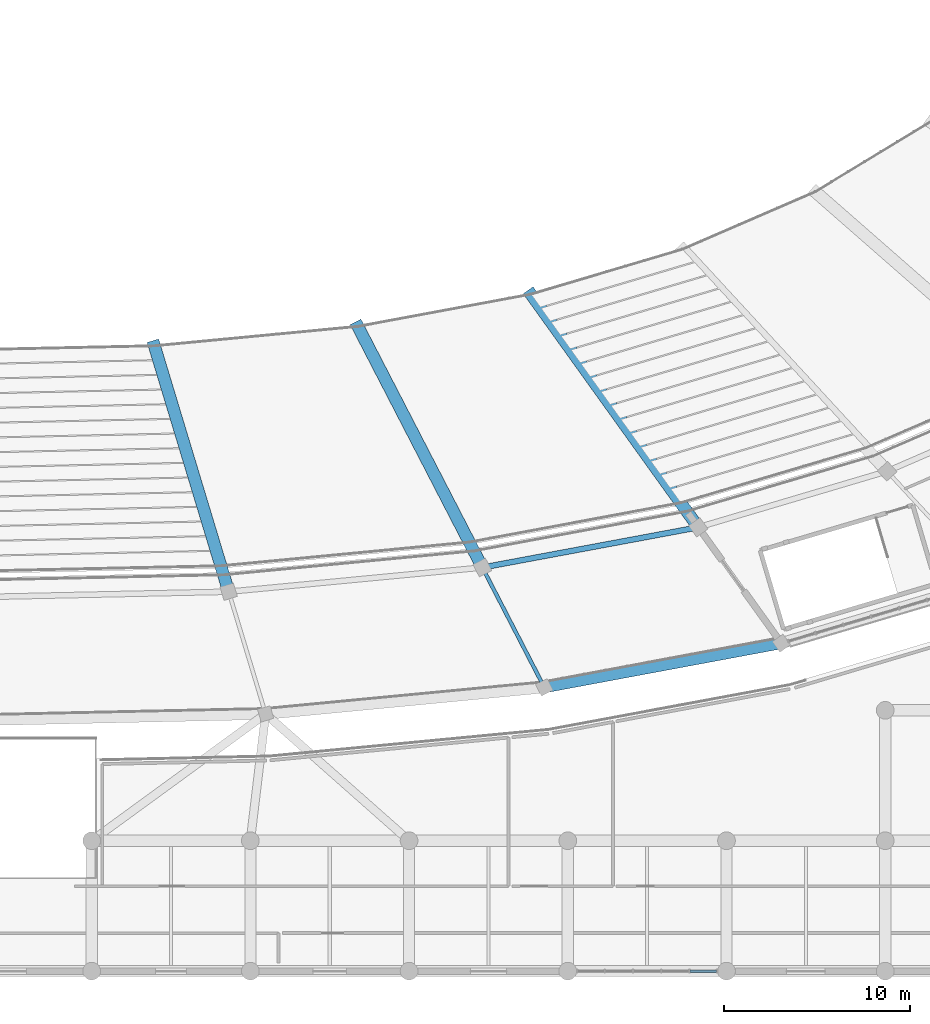
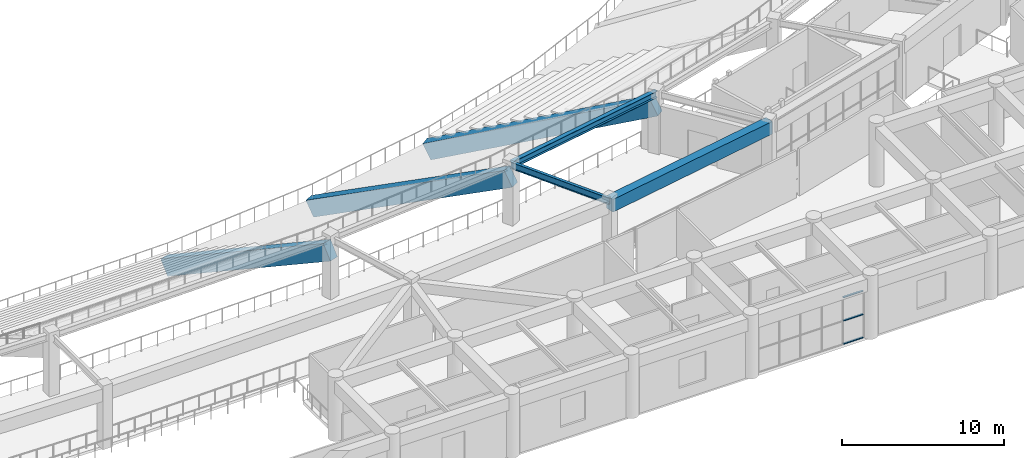
# One storey, part 33 of 137: 6 beams, 3 members, 1 element without a shape of its own.
"""IFC4 building model written with IfcOpenShell, lengths in metres."""

from ifc_helpers import new_model, si_unit, direction, frame, origin, origin_2d, place, context, subcontext, project, spatial, rectangle, i_section, extrude, material, layer, layer_set, material_profile, profile_set, type_object, element, aggregate, save


model = new_model("IFC4")

# Units and contexts
model_context = context("Model", 3, precision=1e-05, world=origin(), true_north=direction((0.0, 1.0)))
body_context = subcontext(model_context, "Body", "Model", "MODEL_VIEW")
ifc_project = project(units=[si_unit("LENGTHUNIT", "METRE"), si_unit("AREAUNIT", "SQUARE_METRE"), si_unit("VOLUMEUNIT", "CUBIC_METRE"), si_unit("PLANEANGLEUNIT", "RADIAN"), si_unit("MASSUNIT", "GRAM", prefix="KILO")], contexts=[model_context])

# Site, building, storey
site_placement = place(None, origin())
site = spatial("IfcSite", under=ifc_project, at=site_placement, CompositionType="ELEMENT")
building_placement = place(site_placement, origin())
building = spatial("IfcBuilding", under=site, at=building_placement, Name="Mphavela Belvedere Stadium", CompositionType="ELEMENT")
storey_placement = place(building_placement, frame((0.0, 0.0, 19.199951171875)))
storey = spatial("IfcBuildingStorey", under=building, at=storey_placement, Name="L04", CompositionType="ELEMENT", Elevation=19.199951171875)

# Beams
ifc_material_1 = material(Name="Concrete C40/50", Category="concrete")
ifc_material_profile_1 = material_profile(ifc_material_1, rectangle(XDim=0.60009765625, YDim=0.949951171875, at=origin_2d()), Name="RC 600x950")
ifc_profile_set_1 = profile_set([ifc_material_profile_1], Name="Concrete C40/50")
beam_type_1 = type_object("IfcBeamType", Name="BM-ENTABLATURE-950", PredefinedType="SPANDREL", material=ifc_profile_set_1)
beam_1_placement = place(storey_placement, frame((152.07275390625, 15.232666015625, 4.074951171875), z_axis=(0.983098571421, 0.183077029882, 0.0), x_axis=(-0.183077029882, 0.983098571421, 0.0)))
element("IfcBeam", 1, at=beam_1_placement, inside=storey, type_object=beam_type_1, Name="Circumferential girder L04 R4-39", PredefinedType="SPANDREL", context=body_context, shape_type="SweptSolid", body=[
    extrude(rectangle(XDim=0.60009765625, YDim=0.949951171875, at=origin_2d()), origin(), (0.0, 0.0, 1.0), 12.947265625),
])
ifc_material_2 = material(Name="Precast concrete C45/55", Category="concrete")
ifc_material_profile_2 = material_profile(ifc_material_2, rectangle(XDim=0.64990234375, YDim=1.199951171875, at=origin_2d()), Name="PC 650x1200")
ifc_profile_set_2 = profile_set([ifc_material_profile_2], Name="Precast concrete C45/55")
beam_type_2 = type_object("IfcBeamType", Name="BM-RAKER-UPPER", PredefinedType="USERDEFINED", material=ifc_profile_set_2)
beam_2_placement = place(storey_placement, frame((131.14794921875, 33.5546875, -4.349853515625), z_axis=(0.252083378261, -0.83432154007, 0.490266803058), x_axis=(0.957260157301, 0.289228268404, 0.0)))
element("IfcBeam", 2, at=beam_2_placement, inside=storey, type_object=beam_type_2, Name="Upper tier precast cantilever raker beam RK-U-38", ObjectType="RAKER BEAM", PredefinedType="USERDEFINED", context=body_context, shape_type="SweptSolid", body=[
    extrude(rectangle(XDim=0.64990234375, YDim=1.199951171875, at=origin_2d()), origin(), (0.0, 0.0, 1.0), 15.8076171875),
])
beam_3_placement = place(storey_placement, frame((142.0703125, 34.59619140625, -4.349853515625), z_axis=(0.405096393963, -0.784223741656, 0.469989398413), x_axis=(0.888465577713, 0.458943261437, 0.0)))
element("IfcBeam", 3, at=beam_3_placement, inside=storey, type_object=beam_type_2, Name="Upper tier precast cantilever raker beam RK-U-39", ObjectType="RAKER BEAM", PredefinedType="USERDEFINED", context=body_context, shape_type="SweptSolid", body=[
    extrude(rectangle(XDim=0.64990234375, YDim=1.199951171875, at=origin_2d()), origin(), (0.0, 0.0, 1.0), 16.48974609375),
])
beam_4_placement = place(storey_placement, frame((151.3642578125, 36.3271484375, -4.349853515625), z_axis=(0.52074281352, -0.725648225206, 0.449735005778), x_axis=(0.812448575999, 0.583032856155, 0.0)))
element("IfcBeam", 4, at=beam_4_placement, inside=storey, type_object=beam_type_2, Name="Upper tier precast cantilever raker beam RK-U-40", ObjectType="RAKER BEAM", PredefinedType="USERDEFINED", context=body_context, shape_type="SweptSolid", body=[
    extrude(rectangle(XDim=0.64990234375, YDim=1.199951171875, at=origin_2d()), origin(), (0.0, 0.0, 1.0), 17.232421875),
])
ifc_material_3 = material(Name="Steel S355", Category="steel")
ifc_material_profile_3 = material_profile(ifc_material_3, i_section(OverallWidth=0.300048828125, OverallDepth=0.489990234375, WebThickness=0.011962890625, FlangeThickness=0.02294921875, at=origin_2d()), Name="HEA 500")
ifc_profile_set_3 = profile_set([ifc_material_profile_3], Name="Steel S355")
beam_type_3 = type_object("IfcBeamType", Name="BM-STEEL-HEA500", PredefinedType="BEAM", material=ifc_profile_set_3)
beam_5_placement = place(storey_placement, frame((148.750244140625, 21.66455078125, 4.304931640625), z_axis=(0.983097725009, 0.18308157494, 0.0), x_axis=(-0.18308157494, 0.983097725009, 0.0)))
element("IfcBeam", 5, at=beam_5_placement, inside=storey, type_object=beam_type_3, Name="Circumferential girder L04 R3-39", PredefinedType="BEAM", context=body_context, shape_type="SweptSolid", body=[
    extrude(i_section(OverallWidth=0.300048828125, OverallDepth=0.489990234375, WebThickness=0.011962890625, FlangeThickness=0.02294921875, at=origin_2d()), origin(), (0.0, 0.0, 1.0), 11.786865234375),
])
ifc_material_4 = material(Name="Steel S355", Category="steel")
ifc_material_profile_4 = material_profile(ifc_material_4, i_section(OverallWidth=0.199951171875, OverallDepth=0.5, WebThickness=0.01025390625, FlangeThickness=0.01611328125, at=origin_2d()), Name="IPE 500")
ifc_profile_set_4 = profile_set([ifc_material_profile_4], Name="Steel S355")
beam_type_4 = type_object("IfcBeamType", Name="BM-STEEL-IPE500", PredefinedType="BEAM", material=ifc_profile_set_4)
beam_6_placement = place(storey_placement, frame((148.750244140625, 21.66455078125, 4.300048828125), z_axis=(0.458951286165, -0.888461432436, 0.0), x_axis=(0.888461432436, 0.458951286165, 0.0)))
element("IfcBeam", 6, at=beam_6_placement, inside=storey, type_object=beam_type_4, Name="Radial concourse girder L04 R3R4-39", PredefinedType="BEAM", context=body_context, shape_type="SweptSolid", body=[
    extrude(i_section(OverallWidth=0.199951171875, OverallDepth=0.5, WebThickness=0.01025390625, FlangeThickness=0.01611328125, at=origin_2d()), origin(), (0.0, 0.0, 1.0), 7.2392578125),
])

# Curtain wall, members
ifc_material_5 = material(Name="Anodised bronze unitised curtain wall framing")
ifc_layer = layer(ifc_material_5, 0.199951171875)
ifc_layer_set = layer_set([ifc_layer], Name="Anodised bronze unitised curtain wall framing")
curtain_wall_type = type_object("IfcCurtainWallType", Name="CW-UNIT-05", PredefinedType="USERDEFINED", material=ifc_layer_set)
curtain_wall_placement = place(storey_placement, origin())
curtain_wall = element("IfcCurtainWall", 7, at=curtain_wall_placement, inside=storey, type_object=curtain_wall_type, Name="South Axial Triumphal Peristyle Portico gallery curtain wall L04-19", ObjectType="UNITISED CURTAIN WALL", PredefinedType="USERDEFINED")
ifc_material_6 = material(Name="Anodised bronze extruded aluminium", Category="aluminium")
ifc_material_profile_5 = material_profile(ifc_material_6, rectangle(XDim=0.139892578125, YDim=0.06005859375, at=origin_2d()), Name="CW-TRN 140x60")
ifc_profile_set_5 = profile_set([ifc_material_profile_5], Name="Anodised bronze extruded aluminium")
member_type = type_object("IfcMemberType", Name="CWT-140x60", PredefinedType="USERDEFINED", material=ifc_profile_set_5)
member_1_placement = place(storey_placement, frame((161.31396484375, 0.0, 0.030029296875), z_axis=(-1.0, 0.0, 0.0), x_axis=(0.0, -1.0, 0.0)))
member_1 = element("IfcMember", 8, at=member_1_placement, type_object=member_type, Name="CW-05 transom 1.1", ObjectType="TRANSOM", PredefinedType="USERDEFINED", context=body_context, shape_type="SweptSolid", body=[
    extrude(rectangle(XDim=0.139892578125, YDim=0.06005859375, at=origin_2d()), origin(), (0.0, 0.0, 1.0), 1.4169921875),
])
member_2_placement = place(storey_placement, frame((161.31396484375, 0.0, 1.780029296875), z_axis=(-1.0, 0.0, 0.0), x_axis=(0.0, -1.0, 0.0)))
member_2 = element("IfcMember", 9, at=member_2_placement, type_object=member_type, Name="CW-05 transom 1.2", ObjectType="TRANSOM", PredefinedType="USERDEFINED", context=body_context, shape_type="SweptSolid", body=[
    extrude(rectangle(XDim=0.139892578125, YDim=0.06005859375, at=origin_2d()), origin(), (0.0, 0.0, 1.0), 1.4169921875),
])
member_3_placement = place(storey_placement, frame((161.31396484375, 0.0, 3.530029296875), z_axis=(-1.0, 0.0, 0.0), x_axis=(0.0, -1.0, 0.0)))
member_3 = element("IfcMember", 10, at=member_3_placement, type_object=member_type, Name="CW-05 transom 1.3", ObjectType="TRANSOM", PredefinedType="USERDEFINED", context=body_context, shape_type="SweptSolid", body=[
    extrude(rectangle(XDim=0.139892578125, YDim=0.06005859375, at=origin_2d()), origin(), (0.0, 0.0, 1.0), 1.4169921875),
])
aggregate(curtain_wall, [member_1, member_2, member_3])

save(model, "model.ifc")
